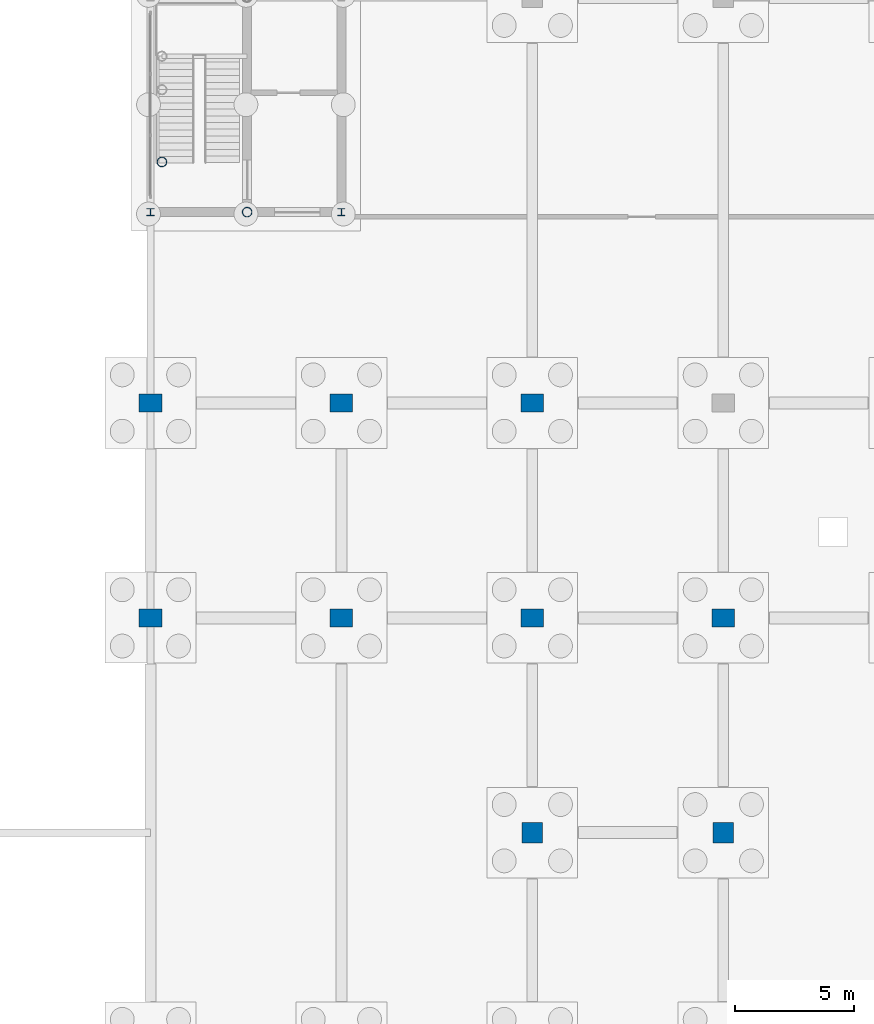
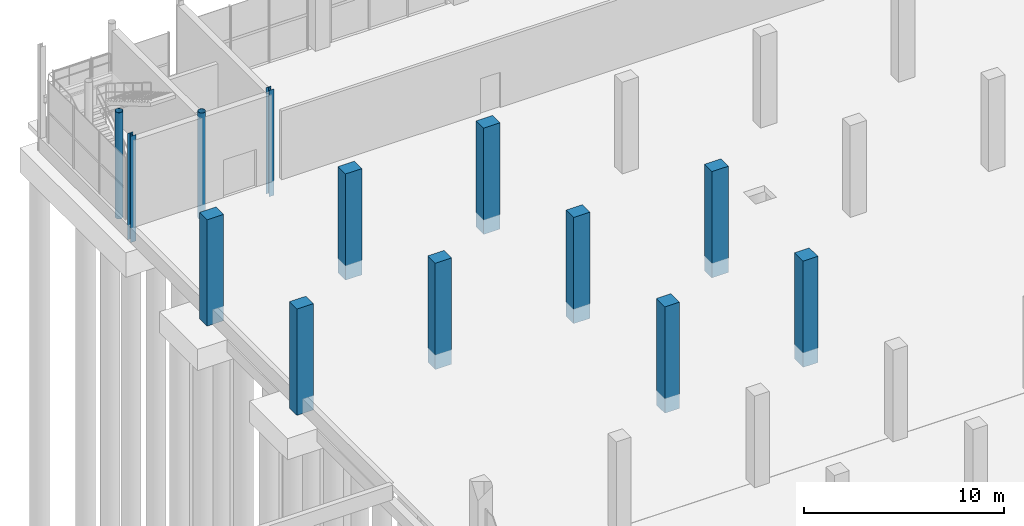
# One storey, part 22 of 98: 13 columns.
"""IFC4 building model written with IfcOpenShell, lengths in metres."""

from ifc_helpers import new_model, si_unit, derived_unit, direction, frame, origin, origin_2d, place, context, subcontext, project, spatial, rectangle, hollow_circle, i_section, extrude, material, material_profile, profile_set, type_object, element, save


model = new_model("IFC4")

# Units and contexts
model_context = context("Model", 3, precision=1e-05, world=origin(), true_north=direction((0.0, 1.0)))
body_context = subcontext(model_context, "Body", "Model", "MODEL_VIEW")
ifc_project = project(units=[si_unit("LENGTHUNIT", "METRE"), si_unit("AREAUNIT", "SQUARE_METRE"), si_unit("VOLUMEUNIT", "CUBIC_METRE"), si_unit("PLANEANGLEUNIT", "RADIAN"), si_unit("MASSUNIT", "GRAM", prefix="KILO"), si_unit("THERMODYNAMICTEMPERATUREUNIT", "KELVIN"), derived_unit("THERMALTRANSMITTANCEUNIT", [(si_unit("POWERUNIT", "WATT"), 1), (si_unit("AREAUNIT", "SQUARE_METRE"), -1), (si_unit("THERMODYNAMICTEMPERATUREUNIT", "KELVIN"), -1)])], contexts=[model_context])

# Site, building, storey
site_placement = place(None, origin())
site = spatial("IfcSite", under=ifc_project, at=site_placement, CompositionType="ELEMENT")
building_placement = place(site_placement, origin())
building = spatial("IfcBuilding", under=site, at=building_placement, Name="Haiyu Intermodal Mobility Hub", CompositionType="ELEMENT")
storey_placement = place(building_placement, origin())
storey = spatial("IfcBuildingStorey", under=building, at=storey_placement, Name="L00", CompositionType="ELEMENT", Elevation=0.0)

# Columns
ifc_material_1 = material(Name="Precast concrete C40", Category="concrete")
ifc_material_profile_1 = material_profile(ifc_material_1, rectangle(XDim=0.85009765625, YDim=0.85009765625, at=origin_2d()), Name="RC850x850")
ifc_profile_set_1 = profile_set([ifc_material_profile_1], Name="Precast concrete C40")
column_type_1 = type_object("IfcColumnType", Name="COL-CC01", PredefinedType="COLUMN", material=ifc_profile_set_1)
for number, where, z_axis, x_axis, name in (
    (1, (38.0, 113.0, -0.89990234375), (0.0, 0.0, 1.0), (1.0, 0.0, 0.0), "Column V3S-4N L00"),
    (2, (46.0, 113.0, -0.89990234375), (0.0, 0.0, 1.0), (1.0, 0.0, 0.0), "Column V3S-5N L00"),
):
    element("IfcColumn", number, at=place(storey_placement, frame(where, z_axis=z_axis, x_axis=x_axis)), inside=storey, type_object=column_type_1, Name=name, PredefinedType="COLUMN", context=body_context, shape_type="SweptSolid", body=[
        extrude(rectangle(XDim=0.85009765625, YDim=0.85009765625, at=origin_2d()), origin(), (0.0, 0.0, 1.0), 6.5),
    ])
ifc_material_profile_2 = material_profile(ifc_material_1, rectangle(XDim=0.949951171875, YDim=0.75, at=origin_2d()), Name="C950x750")
ifc_profile_set_2 = profile_set([ifc_material_profile_2], Name="Precast concrete C40")
column_type_2 = type_object("IfcColumnType", Name="COL-CC19", PredefinedType="COLUMN", material=ifc_profile_set_2)
for number, where, z_axis, x_axis, name in (
    (3, (30.0, 122.0, -0.89990234375), (0.0, 0.0, 1.0), (1.0, 0.0, 0.0), "Column V4-3P L00"),
    (4, (30.0, 131.0, -0.89990234375), (0.0, 0.0, 1.0), (1.0, 0.0, 0.0), "Column V4-3Q L00"),
    (5, (38.0, 122.0, -0.89990234375), (0.0, 0.0, 1.0), (1.0, 0.0, 0.0), "Column V4-4P L00"),
    (6, (38.0, 131.0, -0.89990234375), (0.0, 0.0, 1.0), (1.0, 0.0, 0.0), "Column V4-4Q L00"),
    (7, (46.0, 122.0, -0.89990234375), (0.0, 0.0, 1.0), (1.0, 0.0, 0.0), "Column V4-5P L00"),
):
    element("IfcColumn", number, at=place(storey_placement, frame(where, z_axis=z_axis, x_axis=x_axis)), inside=storey, type_object=column_type_2, Name=name, PredefinedType="COLUMN", context=body_context, shape_type="SweptSolid", body=[
        extrude(rectangle(XDim=0.949951171875, YDim=0.75, at=origin_2d()), origin(), (0.0, 0.0, 1.0), 6.5),
    ])
ifc_material_profile_3 = material_profile(ifc_material_1, rectangle(XDim=0.949951171875, YDim=0.75, at=origin_2d()), Name="C950x750")
ifc_profile_set_3 = profile_set([ifc_material_profile_3], Name="Precast concrete C40")
column_type_3 = type_object("IfcColumnType", Name="COL-CC19-EXT", PredefinedType="COLUMN", material=ifc_profile_set_3)
for number, where, z_axis, x_axis, name in (
    (8, (22.0, 122.0, -0.89990234375), (0.0, 0.0, 1.0), (1.0, 0.0, 0.0), "Column V4-2P L00"),
    (9, (22.0, 131.0, -0.89990234375), (0.0, 0.0, 1.0), (1.0, 0.0, 0.0), "Column V4-2Q L00"),
):
    element("IfcColumn", number, at=place(storey_placement, frame(where, z_axis=z_axis, x_axis=x_axis)), inside=storey, type_object=column_type_3, Name=name, PredefinedType="COLUMN", context=body_context, shape_type="SweptSolid", body=[
        extrude(rectangle(XDim=0.949951171875, YDim=0.75, at=origin_2d()), origin(), (0.0, 0.0, 1.0), 6.5),
    ])
ifc_material_2 = material(Name="Steel Q355C", Category="steel")
ifc_material_profile_4 = material_profile(ifc_material_2, hollow_circle(Radius=0.202880859375, WallThickness=0.013916015625, at=origin_2d()), Name="CHS406x14")
ifc_profile_set_4 = profile_set([ifc_material_profile_4], Name="Steel Q355C")
column_type_4 = type_object("IfcColumnType", Name="COL-SC03", PredefinedType="COLUMN", material=ifc_profile_set_4)
for number, where, z_axis, x_axis, name in (
    (10, (26.050048828125, 139.0, -0.89990234375), (0.0, 0.0, 1.0), (1.0, 0.0, 0.0), "Column C3-MS L00"),
    (11, (22.47998046875, 141.10009765625, -0.89990234375), (0.0, 0.0, 1.0), (1.0, 0.0, 0.0), "Column C3-WTP L00"),
):
    element("IfcColumn", number, at=place(storey_placement, frame(where, z_axis=z_axis, x_axis=x_axis)), inside=storey, type_object=column_type_4, Name=name, PredefinedType="COLUMN", context=body_context, shape_type="SweptSolid", body=[
        extrude(hollow_circle(Radius=0.202880859375, WallThickness=0.013916015625, at=origin_2d()), origin(), (0.0, 0.0, 1.0), 6.5),
    ])
ifc_material_profile_5 = material_profile(ifc_material_2, i_section(OverallWidth=0.300048828125, OverallDepth=0.300048828125, WebThickness=0.010009765625, FlangeThickness=0.014892578125, FilletRadius=0.01806640625, at=origin_2d()), Name="HW300x300x10x15")
ifc_profile_set_5 = profile_set([ifc_material_profile_5], Name="Steel Q355C")
column_type_5 = type_object("IfcColumnType", Name="COL-SC07", PredefinedType="COLUMN", material=ifc_profile_set_5)
column_1_placement = place(storey_placement, frame((30.0, 139.0, -0.89990234375), z_axis=(0.0, 0.0, 1.0), x_axis=(1.0, 0.0, 0.0)))
element("IfcColumn", 12, at=column_1_placement, inside=storey, type_object=column_type_5, Name="Column C3-SE L00", PredefinedType="COLUMN", context=body_context, shape_type="SweptSolid", body=[
    extrude(i_section(OverallWidth=0.300048828125, OverallDepth=0.300048828125, WebThickness=0.010009765625, FlangeThickness=0.014892578125, FilletRadius=0.01806640625, at=origin_2d()), origin(), (0.0, 0.0, 1.0), 6.5),
])
ifc_material_profile_6 = material_profile(ifc_material_2, i_section(OverallWidth=0.300048828125, OverallDepth=0.300048828125, WebThickness=0.010009765625, FlangeThickness=0.014892578125, FilletRadius=0.01806640625, at=origin_2d()), Name="HW300x300x10x15")
ifc_profile_set_6 = profile_set([ifc_material_profile_6], Name="Steel Q355C")
column_type_6 = type_object("IfcColumnType", Name="COL-SC07-EXT", PredefinedType="COLUMN", material=ifc_profile_set_6)
column_2_placement = place(storey_placement, frame((22.0, 139.0, -0.89990234375), z_axis=(0.0, 0.0, 1.0), x_axis=(1.0, 0.0, 0.0)))
element("IfcColumn", 13, at=column_2_placement, inside=storey, type_object=column_type_6, Name="Column C3-SW L00", PredefinedType="COLUMN", context=body_context, shape_type="SweptSolid", body=[
    extrude(i_section(OverallWidth=0.300048828125, OverallDepth=0.300048828125, WebThickness=0.010009765625, FlangeThickness=0.014892578125, FilletRadius=0.01806640625, at=origin_2d()), origin(), (0.0, 0.0, 1.0), 6.5),
])

save(model, "model.ifc")
